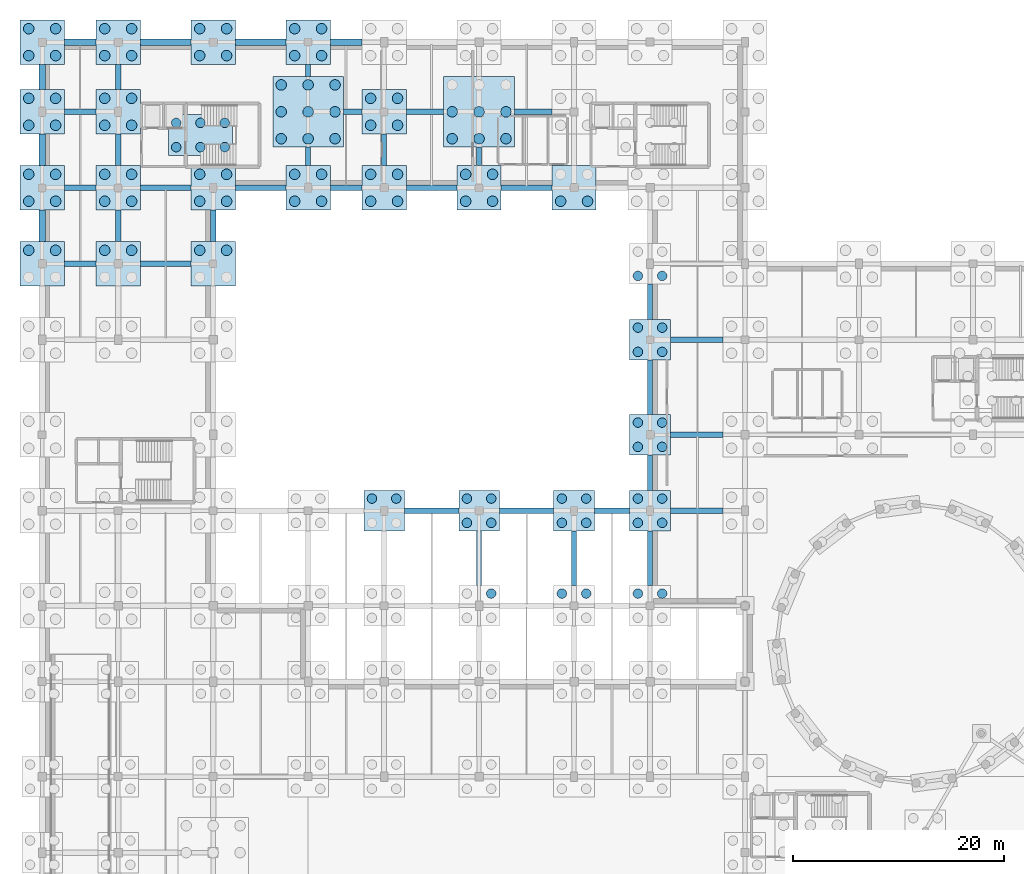
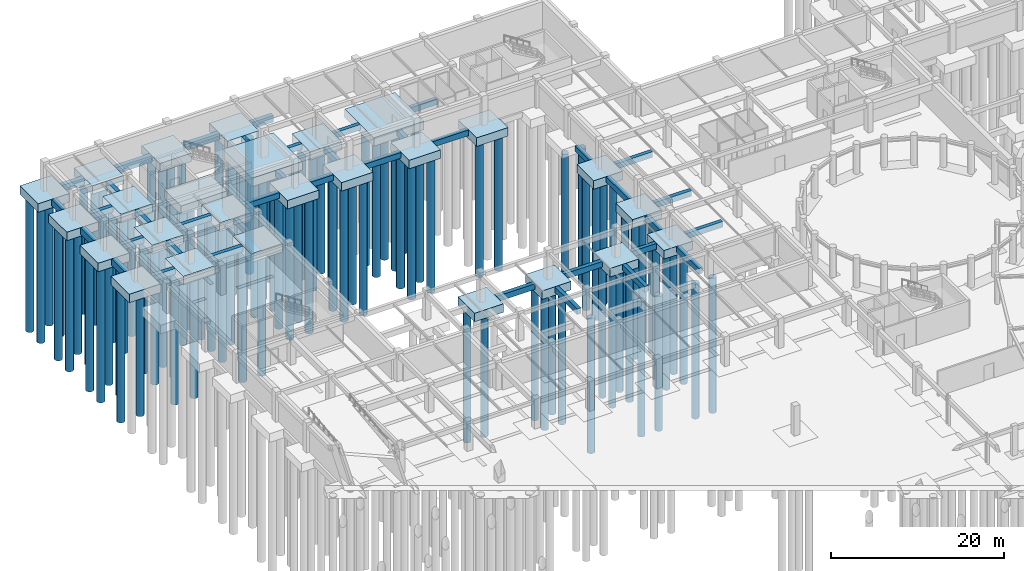
# One storey, part 6 of 42: 110 piles, 65 footings.
"""IFC4 building model written with IfcOpenShell, lengths in metres."""

from ifc_helpers import new_model, si_unit, direction, frame, frame_2d, origin, origin_2d, place, context, subcontext, project, spatial, rectangle, circle, extrude, material, material_profile, profile_set, type_object, element, save


model = new_model("IFC4")

# Units and contexts
model_context = context("Model", 3, precision=1e-05, world=origin(), true_north=direction((0.0, 1.0)))
body_context = subcontext(model_context, "Body", "Model", "MODEL_VIEW")
ifc_project = project(units=[si_unit("LENGTHUNIT", "METRE"), si_unit("AREAUNIT", "SQUARE_METRE"), si_unit("VOLUMEUNIT", "CUBIC_METRE"), si_unit("PLANEANGLEUNIT", "RADIAN"), si_unit("MASSUNIT", "GRAM", prefix="KILO")], contexts=[model_context])

# Site, building, storey
site_placement = place(None, origin())
site = spatial("IfcSite", under=ifc_project, at=site_placement, CompositionType="ELEMENT")
building_placement = place(site_placement, origin())
building = spatial("IfcBuilding", under=site, at=building_placement, Name="Clarverna Civic Hall", CompositionType="ELEMENT")
storey_placement = place(building_placement, frame((0.0, 0.0, -4.199951171875)))
storey = spatial("IfcBuildingStorey", under=building, at=storey_placement, Name="B01", CompositionType="ELEMENT", Elevation=-4.199951171875)

# Footings
ifc_material = material(Name="Concrete C30/37", Category="concrete")
footing_type_1 = type_object("IfcFootingType", Name="FC-02", PredefinedType="PILE_CAP", material=ifc_material)
for number, where, z_axis, x_axis, name in (
    (1, (32.39990234375, 71.60009765625, -1.2001953125), (0.0, 0.0, 1.0), (1.0, 0.0, 0.0), "FC-02-053"),
    (2, (41.39990234375, 71.60009765625, -1.2001953125), (0.0, 0.0, 1.0), (1.0, 0.0, 0.0), "FC-02-059"),
    (3, (50.39990234375, 71.60009765625, -1.2001953125), (0.0, 0.0, 1.0), (1.0, 0.0, 0.0), "FC-02-067"),
    (4, (57.60009765625, 71.60009765625, -1.2001953125), (0.0, 0.0, 1.0), (1.0, 0.0, 0.0), "FC-02-073"),
    (5, (57.60009765625, 78.800048828125, -1.2001953125), (0.0, 0.0, 1.0), (1.0, 0.0, 0.0), "FC-02-074"),
    (6, (57.60009765625, 87.800048828125, -1.2001953125), (0.0, 0.0, 1.0), (1.0, 0.0, 0.0), "FC-02-075"),
):
    element("IfcFooting", number, at=place(storey_placement, frame(where, z_axis=z_axis, x_axis=x_axis)), inside=storey, type_object=footing_type_1, Name=name, PredefinedType="PILE_CAP", context=body_context, shape_type="SweptSolid", body=[
        extrude(rectangle(XDim=3.85009765625, YDim=3.85009765625, at=origin_2d()), origin(), (0.0, 0.0, 1.0), 1.199951171875),
    ])
footing_type_2 = type_object("IfcFootingType", Name="FC-03", PredefinedType="PILE_CAP", material=ifc_material)
for number, where, z_axis, x_axis, name in (
    (7, (0.0, 95.0, -1.2001953125), (0.0, 0.0, 1.0), (1.0, 0.0, 0.0), "FC-03-005"),
    (8, (0.0, 102.199951171875, -1.2001953125), (0.0, 0.0, 1.0), (1.0, 0.0, 0.0), "FC-03-006"),
    (9, (0.0, 109.39990234375, -1.2001953125), (0.0, 0.0, 1.0), (1.0, 0.0, 0.0), "FC-03-007"),
    (10, (0.0, 116.0, -1.2001953125), (0.0, 0.0, 1.0), (1.0, 0.0, 0.0), "FC-03-008"),
    (11, (7.199951171875, 95.0, -1.2001953125), (0.0, 0.0, 1.0), (1.0, 0.0, 0.0), "FC-03-012"),
    (12, (7.199951171875, 102.199951171875, -1.2001953125), (0.0, 0.0, 1.0), (1.0, 0.0, 0.0), "FC-03-013"),
    (13, (7.199951171875, 109.39990234375, -1.2001953125), (0.0, 0.0, 1.0), (1.0, 0.0, 0.0), "FC-03-014"),
    (14, (7.199951171875, 116.0, -1.2001953125), (0.0, 0.0, 1.0), (1.0, 0.0, 0.0), "FC-03-015"),
    (15, (16.199951171875, 95.0, -1.2001953125), (0.0, 0.0, 1.0), (1.0, 0.0, 0.0), "FC-03-020"),
    (16, (16.199951171875, 102.199951171875, -1.2001953125), (0.0, 0.0, 1.0), (1.0, 0.0, 0.0), "FC-03-021"),
    (17, (16.199951171875, 116.0, -1.2001953125), (0.0, 0.0, 1.0), (1.0, 0.0, 0.0), "FC-03-022"),
    (18, (25.199951171875, 102.199951171875, -1.2001953125), (0.0, 0.0, 1.0), (1.0, 0.0, 0.0), "FC-03-023"),
    (19, (25.199951171875, 116.0, -1.2001953125), (0.0, 0.0, 1.0), (1.0, 0.0, 0.0), "FC-03-024"),
    (20, (32.39990234375, 102.199951171875, -1.2001953125), (0.0, 0.0, 1.0), (1.0, 0.0, 0.0), "FC-03-025"),
    (21, (32.39990234375, 109.39990234375, -1.2001953125), (0.0, 0.0, 1.0), (1.0, 0.0, 0.0), "FC-03-026"),
    (22, (41.39990234375, 102.199951171875, -1.2001953125), (0.0, 0.0, 1.0), (1.0, 0.0, 0.0), "FC-03-028"),
    (23, (50.39990234375, 102.199951171875, -1.2001953125), (0.0, 0.0, 1.0), (1.0, 0.0, 0.0), "FC-03-030"),
):
    element("IfcFooting", number, at=place(storey_placement, frame(where, z_axis=z_axis, x_axis=x_axis)), inside=storey, type_object=footing_type_2, Name=name, PredefinedType="PILE_CAP", context=body_context, shape_type="SweptSolid", body=[
        extrude(rectangle(XDim=4.199951171875, YDim=4.199951171875, at=origin_2d()), origin(), (0.0, 0.0, 1.0), 1.199951171875),
    ])
footing_type_3 = type_object("IfcFootingType", Name="FC-04", PredefinedType="PILE_CAP", material=ifc_material)
footing_1_placement = place(storey_placement, frame((15.0, 107.199951171875, -1.2001953125), z_axis=(0.0, 0.0, 1.0), x_axis=(1.0, 0.0, 0.0)))
element("IfcFooting", 24, at=footing_1_placement, inside=storey, type_object=footing_type_3, Name="FC-04-025", PredefinedType="PILE_CAP", context=body_context, shape_type="SweptSolid", body=[
    extrude(rectangle(XDim=6.10009765625, YDim=3.85009765625, at=origin_2d()), origin(), (0.0, 0.0, 1.0), 1.199951171875),
])
footing_type_4 = type_object("IfcFootingType", Name="FC-05", PredefinedType="PILE_CAP", material=ifc_material)
for number, where, z_axis, x_axis, name in (
    (25, (25.199951171875, 109.39990234375, -1.2001953125), (0.0, 0.0, 1.0), (1.0, 0.0, 0.0), "FC-05-004"),
    (26, (41.39990234375, 109.39990234375, -1.2001953125), (0.0, 0.0, 1.0), (1.0, 0.0, 0.0), "FC-05-006"),
):
    element("IfcFooting", number, at=place(storey_placement, frame(where, z_axis=z_axis, x_axis=x_axis)), inside=storey, type_object=footing_type_4, Name=name, PredefinedType="PILE_CAP", context=body_context, shape_type="SweptSolid", body=[
        extrude(rectangle(XDim=6.699951171875, YDim=6.699951171875, at=origin_2d()), origin(), (0.0, 0.0, 1.0), 1.199951171875),
    ])
footing_type_5 = type_object("IfcFootingType", Name="GB-01", PredefinedType="FOOTING_BEAM", material=ifc_material)
for number, where, z_axis, x_axis, name in (
    (27, (34.324951171875, 71.60009765625, -0.800048828125), (0.0, 0.0, 1.0), (1.0, 0.0, 0.0), "GB-01-108"),
    (28, (43.324951171875, 71.60009765625, -0.800048828125), (0.0, 0.0, 1.0), (1.0, 0.0, 0.0), "GB-01-109"),
):
    element("IfcFooting", number, at=place(storey_placement, frame(where, z_axis=z_axis, x_axis=x_axis)), inside=storey, type_object=footing_type_5, Name=name, PredefinedType="FOOTING_BEAM", context=body_context, shape_type="SweptSolid", body=[
        extrude(rectangle(XDim=5.150146484375, YDim=0.5, at=frame_2d((2.5751953125, 0.0))), origin(), (0.0, 0.0, 1.0), 0.800048828125),
    ])
footing_2_placement = place(storey_placement, frame((52.324951171875, 71.60009765625, -0.800048828125), z_axis=(0.0, 0.0, 1.0), x_axis=(1.0, 0.0, 0.0)))
element("IfcFooting", 29, at=footing_2_placement, inside=storey, type_object=footing_type_5, Name="GB-01-110", PredefinedType="FOOTING_BEAM", context=body_context, shape_type="SweptSolid", body=[
    extrude(rectangle(XDim=3.35009765625, YDim=0.5, at=frame_2d((1.675048828125, 0.0))), origin(), (0.0, 0.0, 1.0), 0.800048828125),
])
for number, where, z_axis, x_axis, name in (
    (30, (59.52490234375, 71.60009765625, -0.800048828125), (0.0, 0.0, 1.0), (1.0, 0.0, 0.0), "GB-01-111"),
    (31, (59.52490234375, 78.800048828125, -0.800048828125), (0.0, 0.0, 1.0), (1.0, 0.0, 0.0), "GB-01-116"),
    (32, (59.52490234375, 87.800048828125, -0.800048828125), (0.0, 0.0, 1.0), (1.0, 0.0, 0.0), "GB-01-125"),
):
    element("IfcFooting", number, at=place(storey_placement, frame(where, z_axis=z_axis, x_axis=x_axis)), inside=storey, type_object=footing_type_5, Name=name, PredefinedType="FOOTING_BEAM", context=body_context, shape_type="SweptSolid", body=[
        extrude(rectangle(XDim=4.97509765625, YDim=0.5, at=frame_2d((2.487548828125, 0.0))), origin(), (0.0, 0.0, 1.0), 0.800048828125),
    ])
footing_3_placement = place(storey_placement, frame((2.10009765625, 95.0, -0.800048828125), z_axis=(0.0, 0.0, 1.0), x_axis=(1.0, 0.0, 0.0)))
element("IfcFooting", 33, at=footing_3_placement, inside=storey, type_object=footing_type_5, Name="GB-01-134", PredefinedType="FOOTING_BEAM", context=body_context, shape_type="SweptSolid", body=[
    extrude(rectangle(XDim=3.0, YDim=0.5, at=frame_2d((1.5, 0.0))), origin(), (0.0, 0.0, 1.0), 0.800048828125),
])
footing_4_placement = place(storey_placement, frame((9.300048828125, 95.0, -0.800048828125), z_axis=(0.0, 0.0, 1.0), x_axis=(1.0, 0.0, 0.0)))
element("IfcFooting", 34, at=footing_4_placement, inside=storey, type_object=footing_type_5, Name="GB-01-135", PredefinedType="FOOTING_BEAM", context=body_context, shape_type="SweptSolid", body=[
    extrude(rectangle(XDim=4.800048828125, YDim=0.5, at=frame_2d((2.39990234375, 0.0))), origin(), (0.0, 0.0, 1.0), 0.800048828125),
])
footing_5_placement = place(storey_placement, frame((2.10009765625, 102.199951171875, -0.800048828125), z_axis=(0.0, 0.0, 1.0), x_axis=(1.0, 0.0, 0.0)))
element("IfcFooting", 35, at=footing_5_placement, inside=storey, type_object=footing_type_5, Name="GB-01-149", PredefinedType="FOOTING_BEAM", context=body_context, shape_type="SweptSolid", body=[
    extrude(rectangle(XDim=3.0, YDim=0.5, at=frame_2d((1.5, 0.0))), origin(), (0.0, 0.0, 1.0), 0.800048828125),
])
for number, where, z_axis, x_axis, name in (
    (36, (9.300048828125, 102.199951171875, -0.800048828125), (0.0, 0.0, 1.0), (1.0, 0.0, 0.0), "GB-01-150"),
    (37, (18.300048828125, 102.199951171875, -0.800048828125), (0.0, 0.0, 1.0), (1.0, 0.0, 0.0), "GB-01-151"),
):
    element("IfcFooting", number, at=place(storey_placement, frame(where, z_axis=z_axis, x_axis=x_axis)), inside=storey, type_object=footing_type_5, Name=name, PredefinedType="FOOTING_BEAM", context=body_context, shape_type="SweptSolid", body=[
        extrude(rectangle(XDim=4.800048828125, YDim=0.5, at=frame_2d((2.39990234375, 0.0))), origin(), (0.0, 0.0, 1.0), 0.800048828125),
    ])
footing_6_placement = place(storey_placement, frame((27.300048828125, 102.199951171875, -0.800048828125), z_axis=(0.0, 0.0, 1.0), x_axis=(1.0, 0.0, 0.0)))
element("IfcFooting", 38, at=footing_6_placement, inside=storey, type_object=footing_type_5, Name="GB-01-152", PredefinedType="FOOTING_BEAM", context=body_context, shape_type="SweptSolid", body=[
    extrude(rectangle(XDim=3.0, YDim=0.5, at=frame_2d((1.5, 0.0))), origin(), (0.0, 0.0, 1.0), 0.800048828125),
])
for number, where, z_axis, x_axis, name in (
    (39, (34.5, 102.199951171875, -0.800048828125), (0.0, 0.0, 1.0), (1.0, 0.0, 0.0), "GB-01-153"),
    (40, (43.5, 102.199951171875, -0.800048828125), (0.0, 0.0, 1.0), (1.0, 0.0, 0.0), "GB-01-154"),
):
    element("IfcFooting", number, at=place(storey_placement, frame(where, z_axis=z_axis, x_axis=x_axis)), inside=storey, type_object=footing_type_5, Name=name, PredefinedType="FOOTING_BEAM", context=body_context, shape_type="SweptSolid", body=[
        extrude(rectangle(XDim=4.800048828125, YDim=0.5, at=frame_2d((2.39990234375, 0.0))), origin(), (0.0, 0.0, 1.0), 0.800048828125),
    ])
footing_7_placement = place(storey_placement, frame((2.10009765625, 109.39990234375, -0.800048828125), z_axis=(0.0, 0.0, 1.0), x_axis=(1.0, 0.0, 0.0)))
element("IfcFooting", 41, at=footing_7_placement, inside=storey, type_object=footing_type_5, Name="GB-01-163", PredefinedType="FOOTING_BEAM", context=body_context, shape_type="SweptSolid", body=[
    extrude(rectangle(XDim=3.0, YDim=0.5, at=frame_2d((1.5, 0.0))), origin(), (0.0, 0.0, 1.0), 0.800048828125),
])
footing_8_placement = place(storey_placement, frame((28.550048828125, 109.39990234375, -0.800048828125), z_axis=(0.0, 0.0, 1.0), x_axis=(1.0, 0.0, 0.0)))
element("IfcFooting", 42, at=footing_8_placement, inside=storey, type_object=footing_type_5, Name="GB-01-164", PredefinedType="FOOTING_BEAM", context=body_context, shape_type="SweptSolid", body=[
    extrude(rectangle(XDim=1.75, YDim=0.5, at=frame_2d((0.875, 0.0))), origin(), (0.0, 0.0, 1.0), 0.800048828125),
])
for number, where, z_axis, x_axis, name in (
    (43, (34.5, 109.39990234375, -0.800048828125), (0.0, 0.0, 1.0), (1.0, 0.0, 0.0), "GB-01-165"),
    (44, (44.75, 109.39990234375, -0.800048828125), (0.0, 0.0, 1.0), (1.0, 0.0, 0.0), "GB-01-166"),
):
    element("IfcFooting", number, at=place(storey_placement, frame(where, z_axis=z_axis, x_axis=x_axis)), inside=storey, type_object=footing_type_5, Name=name, PredefinedType="FOOTING_BEAM", context=body_context, shape_type="SweptSolid", body=[
        extrude(rectangle(XDim=3.550048828125, YDim=0.5, at=frame_2d((1.77490234375, 0.0))), origin(), (0.0, 0.0, 1.0), 0.800048828125),
    ])
for number, where, z_axis, x_axis, name in (
    (45, (7.199951171875, 97.10009765625, -0.800048828125), (0.0, 0.0, 1.0), (0.0, 1.0, 0.0), "GB-01-182"),
    (46, (7.199951171875, 104.300048828125, -0.800048828125), (0.0, 0.0, 1.0), (0.0, 1.0, 0.0), "GB-01-183"),
):
    element("IfcFooting", number, at=place(storey_placement, frame(where, z_axis=z_axis, x_axis=x_axis)), inside=storey, type_object=footing_type_5, Name=name, PredefinedType="FOOTING_BEAM", context=body_context, shape_type="SweptSolid", body=[
        extrude(rectangle(XDim=3.0, YDim=0.5, at=frame_2d((1.5, 0.0))), origin(), (0.0, 0.0, 1.0), 0.800048828125),
    ])
footing_9_placement = place(storey_placement, frame((7.199951171875, 111.5, -0.800048828125), z_axis=(0.0, 0.0, 1.0), x_axis=(0.0, 1.0, 0.0)))
element("IfcFooting", 47, at=footing_9_placement, inside=storey, type_object=footing_type_5, Name="GB-01-184", PredefinedType="FOOTING_BEAM", context=body_context, shape_type="SweptSolid", body=[
    extrude(rectangle(XDim=2.39990234375, YDim=0.5, at=frame_2d((1.199951171875, 0.0))), origin(), (0.0, 0.0, 1.0), 0.800048828125),
])
footing_10_placement = place(storey_placement, frame((16.199951171875, 97.10009765625, -0.800048828125), z_axis=(0.0, 0.0, 1.0), x_axis=(0.0, 1.0, 0.0)))
element("IfcFooting", 48, at=footing_10_placement, inside=storey, type_object=footing_type_5, Name="GB-01-197", PredefinedType="FOOTING_BEAM", context=body_context, shape_type="SweptSolid", body=[
    extrude(rectangle(XDim=3.0, YDim=0.5, at=frame_2d((1.5, 0.0))), origin(), (0.0, 0.0, 1.0), 0.800048828125),
])
footing_11_placement = place(storey_placement, frame((25.199951171875, 104.300048828125, -0.800048828125), z_axis=(0.0, 0.0, 1.0), x_axis=(0.0, 1.0, 0.0)))
element("IfcFooting", 49, at=footing_11_placement, inside=storey, type_object=footing_type_5, Name="GB-01-203", PredefinedType="FOOTING_BEAM", context=body_context, shape_type="SweptSolid", body=[
    extrude(rectangle(XDim=1.75, YDim=0.5, at=frame_2d((0.875, 0.0))), origin(), (0.0, 0.0, 1.0), 0.800048828125),
])
footing_12_placement = place(storey_placement, frame((25.199951171875, 112.75, -0.800048828125), z_axis=(0.0, 0.0, 1.0), x_axis=(0.0, 1.0, 0.0)))
element("IfcFooting", 50, at=footing_12_placement, inside=storey, type_object=footing_type_5, Name="GB-01-204", PredefinedType="FOOTING_BEAM", context=body_context, shape_type="SweptSolid", body=[
    extrude(rectangle(XDim=1.14990234375, YDim=0.5, at=frame_2d((0.574951171875, 0.0))), origin(), (0.0, 0.0, 1.0), 0.800048828125),
])
footing_13_placement = place(storey_placement, frame((32.39990234375, 104.300048828125, -0.800048828125), z_axis=(0.0, 0.0, 1.0), x_axis=(0.0, 1.0, 0.0)))
element("IfcFooting", 51, at=footing_13_placement, inside=storey, type_object=footing_type_5, Name="GB-01-210", PredefinedType="FOOTING_BEAM", context=body_context, shape_type="SweptSolid", body=[
    extrude(rectangle(XDim=3.0, YDim=0.5, at=frame_2d((1.5, 0.0))), origin(), (0.0, 0.0, 1.0), 0.800048828125),
])
footing_14_placement = place(storey_placement, frame((41.39990234375, 64.52490234375, -0.800048828125), z_axis=(0.0, 0.0, 1.0), x_axis=(0.0, 1.0, 0.0)))
element("IfcFooting", 52, at=footing_14_placement, inside=storey, type_object=footing_type_5, Name="GB-01-216", PredefinedType="FOOTING_BEAM", context=body_context, shape_type="SweptSolid", body=[
    extrude(rectangle(XDim=5.150146484375, YDim=0.5, at=frame_2d((2.5751953125, 0.0))), origin(), (0.0, 0.0, 1.0), 0.800048828125),
])
footing_15_placement = place(storey_placement, frame((41.39990234375, 104.300048828125, -0.800048828125), z_axis=(0.0, 0.0, 1.0), x_axis=(0.0, 1.0, 0.0)))
element("IfcFooting", 53, at=footing_15_placement, inside=storey, type_object=footing_type_5, Name="GB-01-217", PredefinedType="FOOTING_BEAM", context=body_context, shape_type="SweptSolid", body=[
    extrude(rectangle(XDim=1.75, YDim=0.5, at=frame_2d((0.875, 0.0))), origin(), (0.0, 0.0, 1.0), 0.800048828125),
])
for number, where, z_axis, x_axis, name in (
    (54, (50.39990234375, 64.52490234375, -0.800048828125), (0.0, 0.0, 1.0), (0.0, 1.0, 0.0), "GB-01-223"),
    (55, (57.60009765625, 64.52490234375, -0.800048828125), (0.0, 0.0, 1.0), (0.0, 1.0, 0.0), "GB-01-228"),
):
    element("IfcFooting", number, at=place(storey_placement, frame(where, z_axis=z_axis, x_axis=x_axis)), inside=storey, type_object=footing_type_5, Name=name, PredefinedType="FOOTING_BEAM", context=body_context, shape_type="SweptSolid", body=[
        extrude(rectangle(XDim=5.150146484375, YDim=0.5, at=frame_2d((2.5751953125, 0.0))), origin(), (0.0, 0.0, 1.0), 0.800048828125),
    ])
footing_16_placement = place(storey_placement, frame((57.60009765625, 73.52490234375, -0.800048828125), z_axis=(0.0, 0.0, 1.0), x_axis=(0.0, 1.0, 0.0)))
element("IfcFooting", 56, at=footing_16_placement, inside=storey, type_object=footing_type_5, Name="GB-01-229", PredefinedType="FOOTING_BEAM", context=body_context, shape_type="SweptSolid", body=[
    extrude(rectangle(XDim=3.35009765625, YDim=0.5, at=frame_2d((1.675048828125, 0.0))), origin(), (0.0, 0.0, 1.0), 0.800048828125),
])
footing_17_placement = place(storey_placement, frame((57.60009765625, 80.72509765625, -0.800048828125), z_axis=(0.0, 0.0, 1.0), x_axis=(0.0, 1.0, 0.0)))
element("IfcFooting", 57, at=footing_17_placement, inside=storey, type_object=footing_type_5, Name="GB-01-230", PredefinedType="FOOTING_BEAM", context=body_context, shape_type="SweptSolid", body=[
    extrude(rectangle(XDim=5.14990234375, YDim=0.5, at=frame_2d((2.574951171875, 0.0))), origin(), (0.0, 0.0, 1.0), 0.800048828125),
])
footing_18_placement = place(storey_placement, frame((57.60009765625, 89.72509765625, -0.800048828125), z_axis=(0.0, 0.0, 1.0), x_axis=(0.0, 1.0, 0.0)))
element("IfcFooting", 58, at=footing_18_placement, inside=storey, type_object=footing_type_5, Name="GB-01-231", PredefinedType="FOOTING_BEAM", context=body_context, shape_type="SweptSolid", body=[
    extrude(rectangle(XDim=3.349853515625, YDim=0.5, at=frame_2d((1.6748046875, 0.0))), origin(), (0.0, 0.0, 1.0), 0.800048828125),
])
footing_type_6 = type_object("IfcFootingType", Name="GB-02", PredefinedType="FOOTING_BEAM", material=ifc_material)
footing_19_placement = place(storey_placement, frame((2.10009765625, 116.0, -0.900146484375), z_axis=(0.0, 0.0, 1.0), x_axis=(1.0, 0.0, 0.0)))
element("IfcFooting", 59, at=footing_19_placement, inside=storey, type_object=footing_type_6, Name="GB-02-021", PredefinedType="FOOTING_BEAM", context=body_context, shape_type="SweptSolid", body=[
    extrude(rectangle(XDim=3.0, YDim=0.60009765625, at=frame_2d((1.5, 0.0))), origin(), (0.0, 0.0, 1.0), 0.900146484375),
])
for number, where, z_axis, x_axis, name in (
    (60, (9.300048828125, 116.0, -0.900146484375), (0.0, 0.0, 1.0), (1.0, 0.0, 0.0), "GB-02-022"),
    (61, (18.300048828125, 116.0, -0.900146484375), (0.0, 0.0, 1.0), (1.0, 0.0, 0.0), "GB-02-023"),
):
    element("IfcFooting", number, at=place(storey_placement, frame(where, z_axis=z_axis, x_axis=x_axis)), inside=storey, type_object=footing_type_6, Name=name, PredefinedType="FOOTING_BEAM", context=body_context, shape_type="SweptSolid", body=[
        extrude(rectangle(XDim=4.800048828125, YDim=0.60009765625, at=frame_2d((2.39990234375, 0.0))), origin(), (0.0, 0.0, 1.0), 0.900146484375),
    ])
for number, where, z_axis, x_axis, name in (
    (62, (27.300048828125, 116.0, -0.900146484375), (0.0, 0.0, 1.0), (1.0, 0.0, 0.0), "GB-02-024"),
    (63, (0.0, 97.10009765625, -0.900146484375), (0.0, 0.0, 1.0), (0.0, 1.0, 0.0), "GB-02-047"),
    (64, (0.0, 104.300048828125, -0.900146484375), (0.0, 0.0, 1.0), (0.0, 1.0, 0.0), "GB-02-048"),
):
    element("IfcFooting", number, at=place(storey_placement, frame(where, z_axis=z_axis, x_axis=x_axis)), inside=storey, type_object=footing_type_6, Name=name, PredefinedType="FOOTING_BEAM", context=body_context, shape_type="SweptSolid", body=[
        extrude(rectangle(XDim=3.0, YDim=0.60009765625, at=frame_2d((1.5, 0.0))), origin(), (0.0, 0.0, 1.0), 0.900146484375),
    ])
footing_20_placement = place(storey_placement, frame((0.0, 111.5, -0.900146484375), z_axis=(0.0, 0.0, 1.0), x_axis=(0.0, 1.0, 0.0)))
element("IfcFooting", 65, at=footing_20_placement, inside=storey, type_object=footing_type_6, Name="GB-02-049", PredefinedType="FOOTING_BEAM", context=body_context, shape_type="SweptSolid", body=[
    extrude(rectangle(XDim=2.39990234375, YDim=0.60009765625, at=frame_2d((1.199951171875, 0.0))), origin(), (0.0, 0.0, 1.0), 0.900146484375),
])

# Piles
ifc_material_profile_1 = material_profile(ifc_material, circle(Radius=0.449951171875, at=origin_2d()), Name="BORED PILE D900")
ifc_profile_set_1 = profile_set([ifc_material_profile_1], Name="Concrete C30/37")
pile_type_1 = type_object("IfcPileType", Name="PL-01", PredefinedType="BORED", material=ifc_profile_set_1)
for number, where, z_axis, x_axis, name in (
    (66, (31.25, 72.75, -1.10009765625), (0.0, 0.0, -1.0), (1.0, 0.0, 0.0), "PL-01-256"),
    (67, (33.550048828125, 72.75, -1.10009765625), (0.0, 0.0, -1.0), (1.0, 0.0, 0.0), "PL-01-257"),
    (68, (42.550048828125, 63.75, -1.10009765625), (0.0, 0.0, -1.0), (1.0, 0.0, 0.0), "PL-01-277"),
    (69, (40.25, 70.449951171875, -1.10009765625), (0.0, 0.0, -1.0), (1.0, 0.0, 0.0), "PL-01-278"),
    (70, (42.550048828125, 70.449951171875, -1.10009765625), (0.0, 0.0, -1.0), (1.0, 0.0, 0.0), "PL-01-279"),
    (71, (40.25, 72.75, -1.10009765625), (0.0, 0.0, -1.0), (1.0, 0.0, 0.0), "PL-01-280"),
    (72, (42.550048828125, 72.75, -1.10009765625), (0.0, 0.0, -1.0), (1.0, 0.0, 0.0), "PL-01-281"),
    (73, (49.25, 63.75, -1.10009765625), (0.0, 0.0, -1.0), (1.0, 0.0, 0.0), "PL-01-308"),
    (74, (51.550048828125, 63.75, -1.10009765625), (0.0, 0.0, -1.0), (1.0, 0.0, 0.0), "PL-01-309"),
    (75, (49.25, 70.449951171875, -1.10009765625), (0.0, 0.0, -1.0), (1.0, 0.0, 0.0), "PL-01-310"),
    (76, (51.550048828125, 70.449951171875, -1.10009765625), (0.0, 0.0, -1.0), (1.0, 0.0, 0.0), "PL-01-311"),
    (77, (49.25, 72.75, -1.10009765625), (0.0, 0.0, -1.0), (1.0, 0.0, 0.0), "PL-01-312"),
    (78, (51.550048828125, 72.75, -1.10009765625), (0.0, 0.0, -1.0), (1.0, 0.0, 0.0), "PL-01-313"),
    (79, (56.449951171875, 63.75, -1.10009765625), (0.0, 0.0, -1.0), (1.0, 0.0, 0.0), "PL-01-332"),
    (80, (58.75, 63.75, -1.10009765625), (0.0, 0.0, -1.0), (1.0, 0.0, 0.0), "PL-01-333"),
    (81, (56.449951171875, 70.449951171875, -1.10009765625), (0.0, 0.0, -1.0), (1.0, 0.0, 0.0), "PL-01-334"),
    (82, (58.75, 70.449951171875, -1.10009765625), (0.0, 0.0, -1.0), (1.0, 0.0, 0.0), "PL-01-335"),
    (83, (56.449951171875, 72.75, -1.10009765625), (0.0, 0.0, -1.0), (1.0, 0.0, 0.0), "PL-01-336"),
    (84, (58.75, 72.75, -1.10009765625), (0.0, 0.0, -1.0), (1.0, 0.0, 0.0), "PL-01-337"),
    (85, (56.449951171875, 77.64990234375, -1.10009765625), (0.0, 0.0, -1.0), (1.0, 0.0, 0.0), "PL-01-338"),
    (86, (58.75, 77.64990234375, -1.10009765625), (0.0, 0.0, -1.0), (1.0, 0.0, 0.0), "PL-01-339"),
    (87, (56.449951171875, 79.949951171875, -1.10009765625), (0.0, 0.0, -1.0), (1.0, 0.0, 0.0), "PL-01-340"),
    (88, (58.75, 79.949951171875, -1.10009765625), (0.0, 0.0, -1.0), (1.0, 0.0, 0.0), "PL-01-341"),
    (89, (56.449951171875, 86.64990234375, -1.10009765625), (0.0, 0.0, -1.0), (1.0, 0.0, 0.0), "PL-01-342"),
    (90, (58.75, 86.64990234375, -1.10009765625), (0.0, 0.0, -1.0), (1.0, 0.0, 0.0), "PL-01-343"),
    (91, (56.449951171875, 88.949951171875, -1.10009765625), (0.0, 0.0, -1.0), (1.0, 0.0, 0.0), "PL-01-344"),
    (92, (58.75, 88.949951171875, -1.10009765625), (0.0, 0.0, -1.0), (1.0, 0.0, 0.0), "PL-01-345"),
    (93, (56.449951171875, 93.85009765625, -1.10009765625), (0.0, 0.0, -1.0), (1.0, 0.0, 0.0), "PL-01-346"),
    (94, (58.75, 93.85009765625, -1.10009765625), (0.0, 0.0, -1.0), (1.0, 0.0, 0.0), "PL-01-347"),
    (95, (12.699951171875, 106.050048828125, -1.10009765625), (0.0, 0.0, -1.0), (1.0, 0.0, 0.0), "PL-01-850"),
    (96, (15.0, 106.050048828125, -1.10009765625), (0.0, 0.0, -1.0), (1.0, 0.0, 0.0), "PL-01-851"),
    (97, (17.300048828125, 106.050048828125, -1.10009765625), (0.0, 0.0, -1.0), (1.0, 0.0, 0.0), "PL-01-852"),
    (98, (12.699951171875, 108.35009765625, -1.10009765625), (0.0, 0.0, -1.0), (1.0, 0.0, 0.0), "PL-01-853"),
    (99, (15.0, 108.35009765625, -1.10009765625), (0.0, 0.0, -1.0), (1.0, 0.0, 0.0), "PL-01-854"),
    (100, (17.300048828125, 108.35009765625, -1.10009765625), (0.0, 0.0, -1.0), (1.0, 0.0, 0.0), "PL-01-855"),
):
    element("IfcPile", number, at=place(storey_placement, frame(where, z_axis=z_axis, x_axis=x_axis)), inside=storey, type_object=pile_type_1, Name=name, PredefinedType="BORED", context=body_context, shape_type="SweptSolid", body=[
        extrude(circle(Radius=0.449951171875, at=origin_2d()), origin(), (0.0, 0.0, 1.0), 19.0),
    ])
ifc_material_profile_2 = material_profile(ifc_material, circle(Radius=0.5, at=origin_2d()), Name="BORED PILE D1000")
ifc_profile_set_2 = profile_set([ifc_material_profile_2], Name="Concrete C30/37")
pile_type_2 = type_object("IfcPileType", Name="PL-02", PredefinedType="BORED", material=ifc_profile_set_2)
for number, where, z_axis, x_axis, name in (
    (101, (-1.27490234375, 96.27490234375, -1.10009765625), (0.0, 0.0, -1.0), (1.0, 0.0, 0.0), "PL-02-019"),
    (102, (1.27490234375, 96.27490234375, -1.10009765625), (0.0, 0.0, -1.0), (1.0, 0.0, 0.0), "PL-02-020"),
    (103, (-1.27490234375, 100.925048828125, -1.10009765625), (0.0, 0.0, -1.0), (1.0, 0.0, 0.0), "PL-02-021"),
    (104, (1.27490234375, 100.925048828125, -1.10009765625), (0.0, 0.0, -1.0), (1.0, 0.0, 0.0), "PL-02-022"),
    (105, (-1.27490234375, 103.47509765625, -1.10009765625), (0.0, 0.0, -1.0), (1.0, 0.0, 0.0), "PL-02-023"),
    (106, (1.27490234375, 103.47509765625, -1.10009765625), (0.0, 0.0, -1.0), (1.0, 0.0, 0.0), "PL-02-024"),
    (107, (-1.27490234375, 108.125, -1.10009765625), (0.0, 0.0, -1.0), (1.0, 0.0, 0.0), "PL-02-025"),
    (108, (1.27490234375, 108.125, -1.10009765625), (0.0, 0.0, -1.0), (1.0, 0.0, 0.0), "PL-02-026"),
    (109, (-1.27490234375, 110.675048828125, -1.10009765625), (0.0, 0.0, -1.0), (1.0, 0.0, 0.0), "PL-02-027"),
    (110, (1.27490234375, 110.675048828125, -1.10009765625), (0.0, 0.0, -1.0), (1.0, 0.0, 0.0), "PL-02-028"),
    (111, (-1.27490234375, 114.72509765625, -1.10009765625), (0.0, 0.0, -1.0), (1.0, 0.0, 0.0), "PL-02-029"),
    (112, (1.27490234375, 114.72509765625, -1.10009765625), (0.0, 0.0, -1.0), (1.0, 0.0, 0.0), "PL-02-030"),
    (113, (-1.27490234375, 117.27490234375, -1.10009765625), (0.0, 0.0, -1.0), (1.0, 0.0, 0.0), "PL-02-031"),
    (114, (1.27490234375, 117.27490234375, -1.10009765625), (0.0, 0.0, -1.0), (1.0, 0.0, 0.0), "PL-02-032"),
    (115, (5.925048828125, 96.27490234375, -1.10009765625), (0.0, 0.0, -1.0), (1.0, 0.0, 0.0), "PL-02-047"),
    (116, (8.47509765625, 96.27490234375, -1.10009765625), (0.0, 0.0, -1.0), (1.0, 0.0, 0.0), "PL-02-048"),
    (117, (5.925048828125, 100.925048828125, -1.10009765625), (0.0, 0.0, -1.0), (1.0, 0.0, 0.0), "PL-02-049"),
    (118, (8.47509765625, 100.925048828125, -1.10009765625), (0.0, 0.0, -1.0), (1.0, 0.0, 0.0), "PL-02-050"),
    (119, (5.925048828125, 103.47509765625, -1.10009765625), (0.0, 0.0, -1.0), (1.0, 0.0, 0.0), "PL-02-051"),
    (120, (8.47509765625, 103.47509765625, -1.10009765625), (0.0, 0.0, -1.0), (1.0, 0.0, 0.0), "PL-02-052"),
    (121, (5.925048828125, 108.125, -1.10009765625), (0.0, 0.0, -1.0), (1.0, 0.0, 0.0), "PL-02-053"),
    (122, (8.47509765625, 108.125, -1.10009765625), (0.0, 0.0, -1.0), (1.0, 0.0, 0.0), "PL-02-054"),
    (123, (5.925048828125, 110.675048828125, -1.10009765625), (0.0, 0.0, -1.0), (1.0, 0.0, 0.0), "PL-02-055"),
    (124, (8.47509765625, 110.675048828125, -1.10009765625), (0.0, 0.0, -1.0), (1.0, 0.0, 0.0), "PL-02-056"),
    (125, (5.925048828125, 114.72509765625, -1.10009765625), (0.0, 0.0, -1.0), (1.0, 0.0, 0.0), "PL-02-057"),
    (126, (8.47509765625, 114.72509765625, -1.10009765625), (0.0, 0.0, -1.0), (1.0, 0.0, 0.0), "PL-02-058"),
    (127, (5.925048828125, 117.27490234375, -1.10009765625), (0.0, 0.0, -1.0), (1.0, 0.0, 0.0), "PL-02-059"),
    (128, (8.47509765625, 117.27490234375, -1.10009765625), (0.0, 0.0, -1.0), (1.0, 0.0, 0.0), "PL-02-060"),
    (129, (14.925048828125, 96.27490234375, -1.10009765625), (0.0, 0.0, -1.0), (1.0, 0.0, 0.0), "PL-02-097"),
    (130, (17.47509765625, 96.27490234375, -1.10009765625), (0.0, 0.0, -1.0), (1.0, 0.0, 0.0), "PL-02-098"),
    (131, (14.925048828125, 100.925048828125, -1.10009765625), (0.0, 0.0, -1.0), (1.0, 0.0, 0.0), "PL-02-099"),
    (132, (17.47509765625, 100.925048828125, -1.10009765625), (0.0, 0.0, -1.0), (1.0, 0.0, 0.0), "PL-02-100"),
    (133, (14.925048828125, 103.47509765625, -1.10009765625), (0.0, 0.0, -1.0), (1.0, 0.0, 0.0), "PL-02-101"),
    (134, (17.47509765625, 103.47509765625, -1.10009765625), (0.0, 0.0, -1.0), (1.0, 0.0, 0.0), "PL-02-102"),
    (135, (14.925048828125, 114.72509765625, -1.10009765625), (0.0, 0.0, -1.0), (1.0, 0.0, 0.0), "PL-02-103"),
    (136, (17.47509765625, 114.72509765625, -1.10009765625), (0.0, 0.0, -1.0), (1.0, 0.0, 0.0), "PL-02-104"),
    (137, (14.925048828125, 117.27490234375, -1.10009765625), (0.0, 0.0, -1.0), (1.0, 0.0, 0.0), "PL-02-105"),
    (138, (17.47509765625, 117.27490234375, -1.10009765625), (0.0, 0.0, -1.0), (1.0, 0.0, 0.0), "PL-02-106"),
    (139, (23.925048828125, 100.925048828125, -1.10009765625), (0.0, 0.0, -1.0), (1.0, 0.0, 0.0), "PL-02-116"),
    (140, (26.47509765625, 100.925048828125, -1.10009765625), (0.0, 0.0, -1.0), (1.0, 0.0, 0.0), "PL-02-117"),
    (141, (23.925048828125, 103.47509765625, -1.10009765625), (0.0, 0.0, -1.0), (1.0, 0.0, 0.0), "PL-02-118"),
    (142, (26.47509765625, 103.47509765625, -1.10009765625), (0.0, 0.0, -1.0), (1.0, 0.0, 0.0), "PL-02-119"),
    (143, (22.64990234375, 106.85009765625, -1.10009765625), (0.0, 0.0, -1.0), (1.0, 0.0, 0.0), "PL-02-120"),
    (144, (22.64990234375, 109.39990234375, -1.10009765625), (0.0, 0.0, -1.0), (1.0, 0.0, 0.0), "PL-02-121"),
    (145, (22.64990234375, 111.949951171875, -1.10009765625), (0.0, 0.0, -1.0), (1.0, 0.0, 0.0), "PL-02-122"),
    (146, (25.199951171875, 106.85009765625, -1.10009765625), (0.0, 0.0, -1.0), (1.0, 0.0, 0.0), "PL-02-123"),
    (147, (25.199951171875, 109.39990234375, -1.10009765625), (0.0, 0.0, -1.0), (1.0, 0.0, 0.0), "PL-02-124"),
    (148, (25.199951171875, 111.949951171875, -1.10009765625), (0.0, 0.0, -1.0), (1.0, 0.0, 0.0), "PL-02-125"),
    (149, (27.75, 106.85009765625, -1.10009765625), (0.0, 0.0, -1.0), (1.0, 0.0, 0.0), "PL-02-126"),
    (150, (27.75, 109.39990234375, -1.10009765625), (0.0, 0.0, -1.0), (1.0, 0.0, 0.0), "PL-02-127"),
    (151, (27.75, 111.949951171875, -1.10009765625), (0.0, 0.0, -1.0), (1.0, 0.0, 0.0), "PL-02-128"),
    (152, (23.925048828125, 114.72509765625, -1.10009765625), (0.0, 0.0, -1.0), (1.0, 0.0, 0.0), "PL-02-129"),
    (153, (26.47509765625, 114.72509765625, -1.10009765625), (0.0, 0.0, -1.0), (1.0, 0.0, 0.0), "PL-02-130"),
    (154, (23.925048828125, 117.27490234375, -1.10009765625), (0.0, 0.0, -1.0), (1.0, 0.0, 0.0), "PL-02-131"),
    (155, (26.47509765625, 117.27490234375, -1.10009765625), (0.0, 0.0, -1.0), (1.0, 0.0, 0.0), "PL-02-132"),
    (156, (31.125, 100.925048828125, -1.10009765625), (0.0, 0.0, -1.0), (1.0, 0.0, 0.0), "PL-02-133"),
    (157, (33.675048828125, 100.925048828125, -1.10009765625), (0.0, 0.0, -1.0), (1.0, 0.0, 0.0), "PL-02-134"),
    (158, (31.125, 103.47509765625, -1.10009765625), (0.0, 0.0, -1.0), (1.0, 0.0, 0.0), "PL-02-135"),
    (159, (33.675048828125, 103.47509765625, -1.10009765625), (0.0, 0.0, -1.0), (1.0, 0.0, 0.0), "PL-02-136"),
    (160, (31.125, 108.125, -1.10009765625), (0.0, 0.0, -1.0), (1.0, 0.0, 0.0), "PL-02-137"),
    (161, (33.675048828125, 108.125, -1.10009765625), (0.0, 0.0, -1.0), (1.0, 0.0, 0.0), "PL-02-138"),
    (162, (31.125, 110.675048828125, -1.10009765625), (0.0, 0.0, -1.0), (1.0, 0.0, 0.0), "PL-02-139"),
    (163, (33.675048828125, 110.675048828125, -1.10009765625), (0.0, 0.0, -1.0), (1.0, 0.0, 0.0), "PL-02-140"),
    (164, (40.125, 100.925048828125, -1.10009765625), (0.0, 0.0, -1.0), (1.0, 0.0, 0.0), "PL-02-154"),
    (165, (42.675048828125, 100.925048828125, -1.10009765625), (0.0, 0.0, -1.0), (1.0, 0.0, 0.0), "PL-02-155"),
    (166, (40.125, 103.47509765625, -1.10009765625), (0.0, 0.0, -1.0), (1.0, 0.0, 0.0), "PL-02-156"),
    (167, (42.675048828125, 103.47509765625, -1.10009765625), (0.0, 0.0, -1.0), (1.0, 0.0, 0.0), "PL-02-157"),
    (168, (38.85009765625, 106.85009765625, -1.10009765625), (0.0, 0.0, -1.0), (1.0, 0.0, 0.0), "PL-02-158"),
    (169, (38.85009765625, 109.39990234375, -1.10009765625), (0.0, 0.0, -1.0), (1.0, 0.0, 0.0), "PL-02-159"),
    (170, (41.39990234375, 106.85009765625, -1.10009765625), (0.0, 0.0, -1.0), (1.0, 0.0, 0.0), "PL-02-161"),
    (171, (41.39990234375, 109.39990234375, -1.10009765625), (0.0, 0.0, -1.0), (1.0, 0.0, 0.0), "PL-02-162"),
    (172, (43.949951171875, 106.85009765625, -1.10009765625), (0.0, 0.0, -1.0), (1.0, 0.0, 0.0), "PL-02-164"),
    (173, (43.949951171875, 109.39990234375, -1.10009765625), (0.0, 0.0, -1.0), (1.0, 0.0, 0.0), "PL-02-165"),
    (174, (49.125, 100.925048828125, -1.10009765625), (0.0, 0.0, -1.0), (1.0, 0.0, 0.0), "PL-02-171"),
    (175, (51.675048828125, 100.925048828125, -1.10009765625), (0.0, 0.0, -1.0), (1.0, 0.0, 0.0), "PL-02-172"),
):
    element("IfcPile", number, at=place(storey_placement, frame(where, z_axis=z_axis, x_axis=x_axis)), inside=storey, type_object=pile_type_2, Name=name, PredefinedType="BORED", context=body_context, shape_type="SweptSolid", body=[
        extrude(circle(Radius=0.5, at=origin_2d()), origin(), (0.0, 0.0, 1.0), 19.0),
    ])

save(model, "model.ifc")
